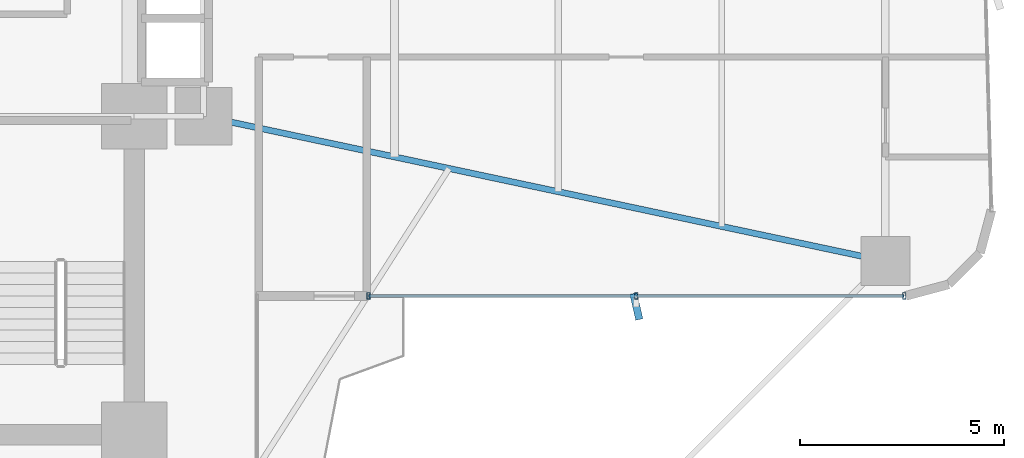
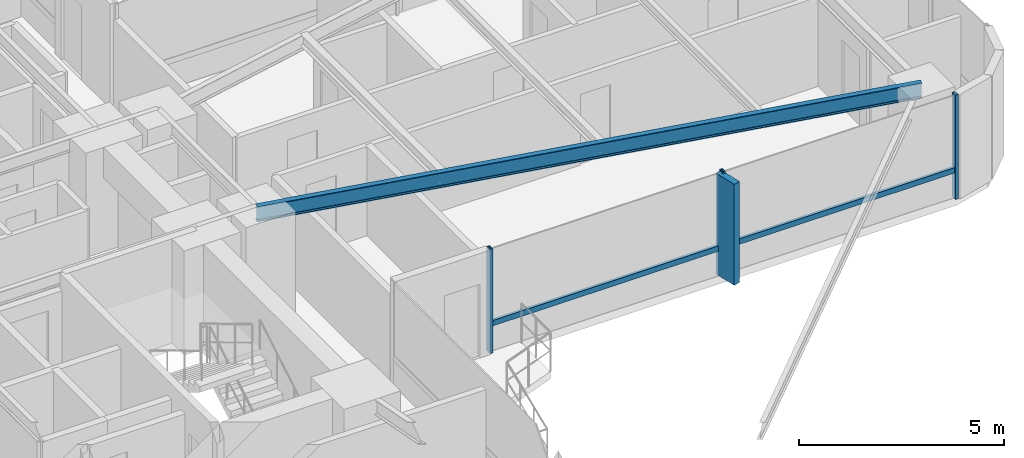
# One storey, part 14 of 26: 6 members, 1 beam, 1 element without a shape of its own.
"""IFC4 building model written with IfcOpenShell, lengths in metres."""

from ifc_helpers import new_model, si_unit, direction, frame, origin, origin_2d, place, context, subcontext, project, spatial, rectangle, hollow_rectangle, i_section, extrude, source, transform, mapped, material, material_profile, profile_set, type_object, element, aggregate, save


model = new_model("IFC4")

# Units and contexts
model_context = context("Model", 3, precision=1e-05, world=origin(), true_north=direction((0.0, 1.0)))
body_context = subcontext(model_context, "Body", "Model", "MODEL_VIEW")
ifc_project = project(units=[si_unit("LENGTHUNIT", "METRE"), si_unit("AREAUNIT", "SQUARE_METRE"), si_unit("VOLUMEUNIT", "CUBIC_METRE"), si_unit("PLANEANGLEUNIT", "RADIAN"), si_unit("MASSUNIT", "GRAM", prefix="KILO")], contexts=[model_context])

# Site, building, storey
site_placement = place(None, origin())
site = spatial("IfcSite", under=ifc_project, at=site_placement, CompositionType="ELEMENT")
building_placement = place(site_placement, origin())
building = spatial("IfcBuilding", under=site, at=building_placement, Name="Sahyath Konkavel Grand Hotel", CompositionType="ELEMENT")
storey_placement = place(building_placement, frame((0.0, 0.0, 26.449951171875)))
storey = spatial("IfcBuildingStorey", under=building, at=storey_placement, Name="L06", CompositionType="ELEMENT", Elevation=26.449951171875)

# Beam
ifc_material_1 = material(Name="Steel E350", Category="steel")
ifc_material_profile_1 = material_profile(ifc_material_1, i_section(OverallWidth=0.14990234375, OverallDepth=0.449951171875, WebThickness=0.009521484375, FlangeThickness=0.017333984375, FilletRadius=0.014892578125, at=origin_2d()), Name="ISMB 450")
ifc_profile_set_1 = profile_set([ifc_material_profile_1], Name="Steel E350")
beam_type = type_object("IfcBeamType", Name="BM-ISMB450", PredefinedType="BEAM", material=ifc_profile_set_1)
shared_shape_1 = source(origin(), body_context, "Body", "SweptSolid", [
    extrude(i_section(OverallWidth=0.14990234375, OverallDepth=0.449951171875, WebThickness=0.009521484375, FlangeThickness=0.017333984375, FilletRadius=0.014892578125, at=origin_2d()), origin(), (0.0, 0.0, 1.0), 17.072998046875),
])
beam_placement = place(storey_placement, frame((5.5, -2.39990234375, 2.885009765625), z_axis=(0.978143257225, -0.20793212437, 0.0), x_axis=(0.20793212437, 0.978143257225, 0.0)))
element("IfcBeam", 1, at=beam_placement, inside=storey, type_object=beam_type, Name="L06 Cruciform Radial Girder EA", PredefinedType="BEAM", context=body_context, shape_type="MappedRepresentation", body=[
    mapped(shared_shape_1, transform((0.0, 0.0, 0.0), scale=1.0)),
])

# Curtain wall, members
ifc_material_2 = material(Name="Anodised Bronze Aluminium & Low-E Glazing", Category="aluminium")
curtain_wall_type = type_object("IfcCurtainWallType", Name="CW-ZONE1", PredefinedType="NOTDEFINED", material=ifc_material_2)
curtain_wall_placement = place(storey_placement, origin())
curtain_wall = element("IfcCurtainWall", 2, at=curtain_wall_placement, inside=storey, type_object=curtain_wall_type, Name="L06 Unitised Curtain Wall F0", PredefinedType="NOTDEFINED")
ifc_material_3 = material(Name="Warm Buff Sandstone Cladding on Concrete C50/60", Category="masonry")
ifc_material_profile_2 = material_profile(ifc_material_3, rectangle(XDim=0.179931640625, YDim=0.64990234375, at=origin_2d()), Name="FIN 180x650")
ifc_profile_set_2 = profile_set([ifc_material_profile_2], Name="Warm Buff Sandstone Cladding on Concrete C50/60")
member_type_1 = type_object("IfcMemberType", Name="FIN-SANDSTONE-650", PredefinedType="MULLION", material=ifc_profile_set_2)
shared_shape_2 = source(origin(), body_context, "Body", "SweptSolid", [
    extrude(rectangle(XDim=0.179931640625, YDim=0.64990234375, at=origin_2d()), origin(), (0.0, 0.0, 1.0), 3.010009765625),
])
member_1_placement = place(storey_placement, frame((16.10009765625, -7.06005859375, 0.050048828125), z_axis=(0.0, 0.0, 1.0), x_axis=(0.974644167091, 0.223760469153, 0.0)))
member_1 = element("IfcMember", 3, at=member_1_placement, type_object=member_type_1, Name="L06 Sandstone Vertical Solar Fin FIN F0-1", PredefinedType="MULLION", context=body_context, shape_type="MappedRepresentation", body=[
    mapped(shared_shape_2, transform((0.0, 0.0, 0.0), scale=1.0)),
])
ifc_material_4 = material(Name="Anodised Bronze Aluminium", Category="aluminium")
ifc_material_profile_3 = material_profile(ifc_material_4, hollow_rectangle(XDim=0.080078125, YDim=0.159912109375, WallThickness=0.006103515625, at=origin_2d()), Name="RHS 160x80x6")
ifc_profile_set_3 = profile_set([ifc_material_profile_3], Name="Anodised Bronze Aluminium")
member_type_2 = type_object("IfcMemberType", Name="CW-MUL-160", PredefinedType="MULLION", material=ifc_profile_set_3)
shared_shape_3 = source(origin(), body_context, "Body", "SweptSolid", [
    extrude(hollow_rectangle(XDim=0.080078125, YDim=0.159912109375, WallThickness=0.006103515625, at=origin_2d()), origin(), (0.0, 0.0, 1.0), 3.110107421875),
])
member_2_placement = place(storey_placement, frame((9.5400390625, -6.800048828125, 0.0), z_axis=(0.0, 0.0, 1.0), x_axis=(1.0, 0.0, 0.0)))
member_2 = element("IfcMember", 4, at=member_2_placement, type_object=member_type_2, Name="L06 Curtain Wall Mullion F0-0", PredefinedType="MULLION", context=body_context, shape_type="MappedRepresentation", body=[
    mapped(shared_shape_3, transform((0.0, 0.0, 0.0), scale=1.0)),
])
member_3_placement = place(storey_placement, frame((16.10009765625, -6.800048828125, 0.0), z_axis=(0.0, 0.0, 1.0), x_axis=(1.0, 0.0, 0.0)))
member_3 = element("IfcMember", 5, at=member_3_placement, type_object=member_type_2, Name="L06 Curtain Wall Mullion F0-1", PredefinedType="MULLION", context=body_context, shape_type="MappedRepresentation", body=[
    mapped(shared_shape_3, transform((0.0, 0.0, 0.0), scale=1.0)),
])
member_4_placement = place(storey_placement, frame((22.659912109375, -6.800048828125, 0.0), z_axis=(0.0, 0.0, 1.0), x_axis=(1.0, 0.0, 0.0)))
member_4 = element("IfcMember", 6, at=member_4_placement, type_object=member_type_2, Name="L06 Curtain Wall Mullion F0-2", PredefinedType="MULLION", context=body_context, shape_type="MappedRepresentation", body=[
    mapped(shared_shape_3, transform((0.0, 0.0, 0.0), scale=1.0)),
])
ifc_material_profile_4 = material_profile(ifc_material_4, hollow_rectangle(XDim=0.080078125, YDim=0.159912109375, WallThickness=0.006103515625, at=origin_2d()), Name="RHS 160x80x6")
ifc_profile_set_4 = profile_set([ifc_material_profile_4], Name="Anodised Bronze Aluminium")
member_type_3 = type_object("IfcMemberType", Name="CW-TRN-160", PredefinedType="USERDEFINED", material=ifc_profile_set_4)
shared_shape_4 = source(origin(), body_context, "Body", "SweptSolid", [
    extrude(hollow_rectangle(XDim=0.080078125, YDim=0.159912109375, WallThickness=0.006103515625, at=origin_2d()), origin(), (0.0, 0.0, 1.0), 6.56005859375),
])
member_5_placement = place(storey_placement, frame((9.5400390625, -6.800048828125, 0.85009765625), z_axis=(1.0, 0.0, 0.0), x_axis=(0.0, 1.0, 0.0)))
member_5 = element("IfcMember", 7, at=member_5_placement, type_object=member_type_3, Name="L06 Curtain Wall Transom F0-0-spandrel", ObjectType="TRANSOM", PredefinedType="USERDEFINED", context=body_context, shape_type="MappedRepresentation", body=[
    mapped(shared_shape_4, transform((0.0, 0.0, 0.0), scale=1.0)),
])
shared_shape_5 = source(origin(), body_context, "Body", "SweptSolid", [
    extrude(hollow_rectangle(XDim=0.080078125, YDim=0.159912109375, WallThickness=0.006103515625, at=origin_2d()), origin(), (0.0, 0.0, 1.0), 6.559814453125),
])
member_6_placement = place(storey_placement, frame((16.10009765625, -6.800048828125, 0.85009765625), z_axis=(1.0, 0.0, 0.0), x_axis=(0.0, 1.0, 0.0)))
member_6 = element("IfcMember", 8, at=member_6_placement, type_object=member_type_3, Name="L06 Curtain Wall Transom F0-1-spandrel", ObjectType="TRANSOM", PredefinedType="USERDEFINED", context=body_context, shape_type="MappedRepresentation", body=[
    mapped(shared_shape_5, transform((0.0, 0.0, 0.0), scale=1.0)),
])
aggregate(curtain_wall, [member_2, member_3, member_1, member_4, member_5, member_6])

save(model, "model.ifc")
